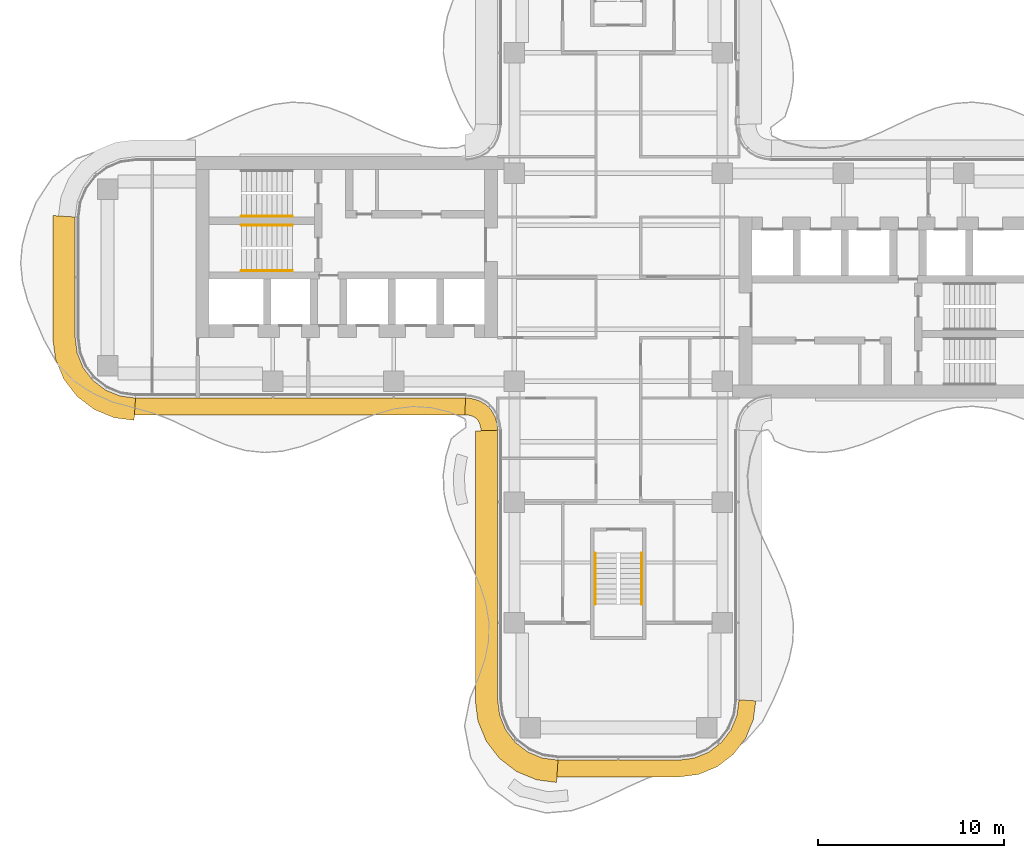
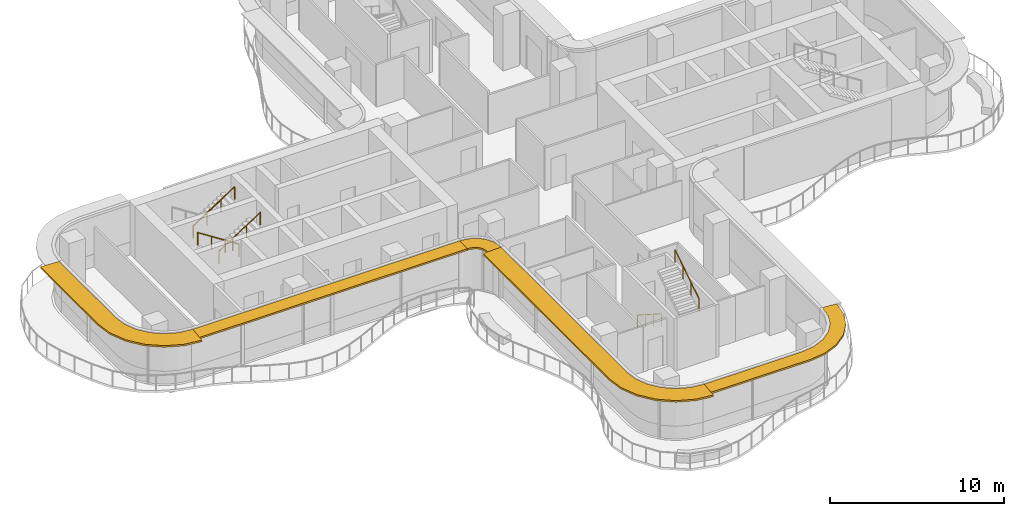
# One storey, part 18 of 19: 5 railings, 5 shading devices.
"""IFC4 building model written with IfcOpenShell, lengths in metres."""

from ifc_helpers import new_model, si_unit, direction, frame, origin, origin_2d, place, context, subcontext, project, spatial, polyline, circle, outline, extrude, source, transform, mapped, material, layer, layer_set, type_object, element, save


model = new_model("IFC4")

# Units and contexts
model_context = context("Model", 3, precision=1e-05, world=origin(), true_north=direction((0.0, 1.0)))
body_context = subcontext(model_context, "Body", "Model", "MODEL_VIEW")
ifc_project = project(units=[si_unit("LENGTHUNIT", "METRE"), si_unit("AREAUNIT", "SQUARE_METRE"), si_unit("VOLUMEUNIT", "CUBIC_METRE"), si_unit("PLANEANGLEUNIT", "RADIAN"), si_unit("MASSUNIT", "GRAM", prefix="KILO")], contexts=[model_context])

# Site, building, storey
site_placement = place(None, origin())
site = spatial("IfcSite", under=ifc_project, at=site_placement, CompositionType="ELEMENT")
building_placement = place(site_placement, origin())
building = spatial("IfcBuilding", under=site, at=building_placement, Name="Trellis Farm Tower", CompositionType="ELEMENT")
storey_placement = place(building_placement, frame((0.0, 0.0, 228.5)))
storey = spatial("IfcBuildingStorey", under=building, at=storey_placement, Name="L50", CompositionType="ELEMENT", Elevation=228.5)

# Railings
ifc_material_1 = material(Name="Stainless steel", Category="steel")
railing_type = type_object("IfcRailingType", Name="STAIR HANDRAIL 900", PredefinedType="HANDRAIL", material=ifc_material_1)
shared_shape_1 = source(origin(), body_context, "Body", "SweptSolid", [
    extrude(circle(Radius=0.02392578125, at=origin_2d()), frame((0.0, 0.0, 0.8759765625), z_axis=(0.0, 0.840503830235, 0.541805602924), x_axis=(-1.0, 0.0, 0.0)), (0.0, 0.0, 1.0), 3.271728515625),
    extrude(circle(Radius=0.02099609375, at=origin_2d()), origin(), (0.0, 0.0, 1.0), 0.851806640625),
    extrude(circle(Radius=0.02099609375, at=origin_2d()), frame((0.0, 0.916748046875, 0.5908203125)), (0.0, 0.0, 1.0), 0.851806640625),
    extrude(circle(Radius=0.02099609375, at=origin_2d()), frame((0.0, 1.833251953125, 1.181884765625)), (0.0, 0.0, 1.0), 0.851806640625),
    extrude(circle(Radius=0.02099609375, at=origin_2d()), frame((0.0, 2.75, 1.772705078125)), (0.0, 0.0, 1.0), 0.851806640625),
])
railing_1_placement = place(storey_placement, frame((1.25, -17.60009765625, 2.127197265625)))
element("IfcRailing", 1, at=railing_1_placement, inside=storey, type_object=railing_type, Name="Stair handrail", PredefinedType="HANDRAIL", context=body_context, shape_type="MappedRepresentation", body=[
    mapped(shared_shape_1, transform((0.0, 0.0, 0.0))),
])
shared_shape_2 = source(origin(), body_context, "Body", "SweptSolid", [
    extrude(circle(Radius=0.02392578125, at=origin_2d()), frame((0.0, 0.0, 0.8759765625), z_axis=(0.0, -0.840503830235, 0.541805602924), x_axis=(1.0, 0.0, 0.0)), (0.0, 0.0, 1.0), 3.271728515625),
    extrude(circle(Radius=0.02099609375, at=origin_2d()), origin(), (0.0, 0.0, 1.0), 0.851806640625),
    extrude(circle(Radius=0.02099609375, at=origin_2d()), frame((0.0, -0.916748046875, 0.5908203125)), (0.0, 0.0, 1.0), 0.851806640625),
    extrude(circle(Radius=0.02099609375, at=origin_2d()), frame((0.0, -1.833251953125, 1.181884765625)), (0.0, 0.0, 1.0), 0.851806640625),
    extrude(circle(Radius=0.02099609375, at=origin_2d()), frame((0.0, -2.75, 1.772705078125)), (0.0, 0.0, 1.0), 0.851806640625),
])
railing_2_placement = place(storey_placement, frame((-1.25, -14.85009765625, 0.17724609375)))
element("IfcRailing", 2, at=railing_2_placement, inside=storey, type_object=railing_type, Name="Stair handrail", PredefinedType="HANDRAIL", context=body_context, shape_type="MappedRepresentation", body=[
    mapped(shared_shape_2, transform((0.0, 0.0, 0.0))),
])
shared_shape_3 = source(origin(), body_context, "Body", "SweptSolid", [
    extrude(circle(Radius=0.02392578125, at=origin_2d()), frame((0.0, 0.0, 0.8759765625), z_axis=(0.840503830235, 0.0, 0.541805602924), x_axis=(0.0, 1.0, 0.0)), (0.0, 0.0, 1.0), 3.271728515625),
    extrude(circle(Radius=0.02099609375, at=origin_2d()), origin(), (0.0, 0.0, 1.0), 0.851806640625),
    extrude(circle(Radius=0.02099609375, at=origin_2d()), frame((0.916748046875, 0.0, 0.5908203125)), (0.0, 0.0, 1.0), 0.851806640625),
    extrude(circle(Radius=0.02099609375, at=origin_2d()), frame((1.833251953125, 0.0, 1.181884765625)), (0.0, 0.0, 1.0), 0.851806640625),
    extrude(circle(Radius=0.02099609375, at=origin_2d()), frame((2.75, 0.0, 1.772705078125)), (0.0, 0.0, 1.0), 0.851806640625),
])
for number, where, name in (
    (3, (-20.300048828125, 3.300048828125, 2.127197265625), "Stair handrail"),
    (4, (-20.300048828125, 0.35009765625, 2.127197265625), "Stair handrail"),
):
    element("IfcRailing", number, at=place(storey_placement, frame(where)), inside=storey, type_object=railing_type, Name=name, PredefinedType="HANDRAIL", context=body_context, shape_type="MappedRepresentation", body=[
        mapped(shared_shape_3, transform((0.0, 0.0, 0.0))),
    ])
shared_shape_4 = source(origin(), body_context, "Body", "SweptSolid", [
    extrude(circle(Radius=0.02392578125, at=origin_2d()), frame((0.0, 0.0, 0.8759765625), z_axis=(-0.840503830235, 0.0, 0.541805602924), x_axis=(0.0, -1.0, 0.0)), (0.0, 0.0, 1.0), 3.271728515625),
    extrude(circle(Radius=0.02099609375, at=origin_2d()), origin(), (0.0, 0.0, 1.0), 0.851806640625),
    extrude(circle(Radius=0.02099609375, at=origin_2d()), frame((-0.916748046875, 0.0, 0.5908203125)), (0.0, 0.0, 1.0), 0.851806640625),
    extrude(circle(Radius=0.02099609375, at=origin_2d()), frame((-1.833251953125, 0.0, 1.181884765625)), (0.0, 0.0, 1.0), 0.851806640625),
    extrude(circle(Radius=0.02099609375, at=origin_2d()), frame((-2.75, 0.0, 1.772705078125)), (0.0, 0.0, 1.0), 0.851806640625),
])
railing_3_placement = place(storey_placement, frame((-17.550048828125, 2.800048828125, 0.17724609375)))
element("IfcRailing", 5, at=railing_3_placement, inside=storey, type_object=railing_type, Name="Stair handrail", PredefinedType="HANDRAIL", context=body_context, shape_type="MappedRepresentation", body=[
    mapped(shared_shape_4, transform((0.0, 0.0, 0.0))),
])

# Shading devices
ifc_material_2 = material(Name="Aluminium extrusion 6063-T6", Category="aluminium")
ifc_layer_1 = layer(ifc_material_2, 0.1201171875)
ifc_layer_set_1 = layer_set([ifc_layer_1], Name="SUNSHADE BLADE 900")
shading_device_type_1 = type_object("IfcShadingDeviceType", Name="SUNSHADE BLADE 900", PredefinedType="USERDEFINED", material=ifc_layer_set_1)
shared_shape_5 = source(origin(), body_context, "Body", "SweptSolid", [
    extrude(outline(polyline([(-8.2607421875, -7.39990234375), (-8.107666015625, -7.409912109375), (-8.091552734375, -7.412109375), (-7.85595703125, -7.475341796875), (-7.697021484375, -7.567138671875), (-7.567138671875, -7.697021484375), (-7.475341796875, -7.85595703125), (-7.412109375, -8.091552734375), (-7.409912109375, -8.107666015625), (-7.39990234375, -8.2607421875), (-6.5, -8.2314453125), (-6.513916015625, -8.01953125), (-6.527587890625, -7.91552734375), (-6.63671875, -7.508544921875), (-6.846923828125, -7.144287109375), (-7.144287109375, -6.846923828125), (-7.508544921875, -6.63671875), (-7.91552734375, -6.527587890625), (-8.01953125, -6.513916015625), (-8.2314453125, -6.5), (-8.2607421875, -7.39990234375)])), origin(), (0.0, 0.0, 1.0), 0.119873046875),
])
placement = place(storey_placement, frame((0.0, 0.0, 3.5400390625)))
element("IfcShadingDevice", 6, at=placement, inside=storey, type_object=shading_device_type_1, Name="SD1 002", ObjectType="SUNSHADE", PredefinedType="USERDEFINED", context=body_context, shape_type="MappedRepresentation", body=[
    mapped(shared_shape_5, transform((0.0, 0.0, 0.0))),
])
ifc_layer_2 = layer(ifc_material_2, 0.1201171875)
ifc_layer_set_2 = layer_set([ifc_layer_2], Name="SUNSHADE BLADE 1200")
shading_device_type_2 = type_object("IfcShadingDeviceType", Name="SUNSHADE BLADE 1200", PredefinedType="USERDEFINED", material=ifc_layer_set_2)
shared_shape_6 = source(origin(), body_context, "Body", "SweptSolid", [
    extrude(outline(polyline([(-7.699951171875, -8.270751953125), (-7.699951171875, -22.82861328125), (-7.558349609375, -23.904541015625), (-7.11279296875, -24.980224609375), (-6.404052734375, -25.904052734375), (-5.480224609375, -26.61279296875), (-4.404541015625, -27.058349609375), (-3.32861328125, -27.199951171875), (-3.25, -26.0), (-4.091064453125, -25.88916015625), (-4.875, -25.564697265625), (-5.548095703125, -25.048095703125), (-6.064697265625, -24.375), (-6.38916015625, -23.591064453125), (-6.5, -22.75), (-6.5, -8.2314453125), (-7.699951171875, -8.270751953125)])), origin(), (0.0, 0.0, 1.0), 0.119873046875),
])
element("IfcShadingDevice", 7, at=placement, inside=storey, type_object=shading_device_type_2, Name="SD2 003", ObjectType="SUNSHADE", PredefinedType="USERDEFINED", context=body_context, shape_type="MappedRepresentation", body=[
    mapped(shared_shape_6, transform((0.0, 0.0, 0.0))),
])
shared_shape_7 = source(origin(), body_context, "Body", "SweptSolid", [
    extrude(outline(polyline([(-3.30908203125, -26.89990234375), (3.30908203125, -26.89990234375), (4.326171875, -26.76611328125), (5.328857421875, -26.350830078125), (6.18994140625, -25.68994140625), (6.850830078125, -24.828857421875), (7.26611328125, -23.826171875), (7.39990234375, -22.80908203125), (6.5, -22.75), (6.38916015625, -23.591064453125), (6.064697265625, -24.375), (5.548095703125, -25.048095703125), (4.875, -25.564697265625), (4.091064453125, -25.88916015625), (3.25, -26.0), (-3.25, -26.0), (-3.30908203125, -26.89990234375)])), origin(), (0.0, 0.0, 1.0), 0.119873046875),
])
element("IfcShadingDevice", 8, at=placement, inside=storey, type_object=shading_device_type_1, Name="SD1 004", ObjectType="SUNSHADE", PredefinedType="USERDEFINED", context=body_context, shape_type="MappedRepresentation", body=[
    mapped(shared_shape_7, transform((0.0, 0.0, 0.0))),
])
shared_shape_8 = source(origin(), body_context, "Body", "SweptSolid", [
    extrude(outline(polyline([(-26.05908203125, -7.39990234375), (-8.2607421875, -7.39990234375), (-8.2314453125, -6.5), (-26.0, -6.5), (-26.05908203125, -7.39990234375)])), origin(), (0.0, 0.0, 1.0), 0.119873046875),
])
element("IfcShadingDevice", 9, at=placement, inside=storey, type_object=shading_device_type_1, Name="SD1 001", ObjectType="SUNSHADE", PredefinedType="USERDEFINED", context=body_context, shape_type="MappedRepresentation", body=[
    mapped(shared_shape_8, transform((0.0, 0.0, 0.0))),
])
shared_shape_9 = source(origin(), body_context, "Body", "SweptSolid", [
    extrude(outline(polyline([(-30.449951171875, 3.32861328125), (-30.449951171875, -3.32861328125), (-30.308349609375, -4.404541015625), (-29.86279296875, -5.480224609375), (-29.154052734375, -6.404052734375), (-28.230224609375, -7.11279296875), (-27.154541015625, -7.558349609375), (-26.07861328125, -7.699951171875), (-26.0, -6.5), (-26.841064453125, -6.38916015625), (-27.625, -6.064697265625), (-28.298095703125, -5.548095703125), (-28.814697265625, -4.875), (-29.13916015625, -4.091064453125), (-29.25, -3.25), (-29.25, 3.25), (-30.449951171875, 3.32861328125)])), origin(), (0.0, 0.0, 1.0), 0.119873046875),
])
element("IfcShadingDevice", 10, at=placement, inside=storey, type_object=shading_device_type_2, Name="SD2 016", ObjectType="SUNSHADE", PredefinedType="USERDEFINED", context=body_context, shape_type="MappedRepresentation", body=[
    mapped(shared_shape_9, transform((0.0, 0.0, 0.0))),
])

save(model, "model.ifc")
